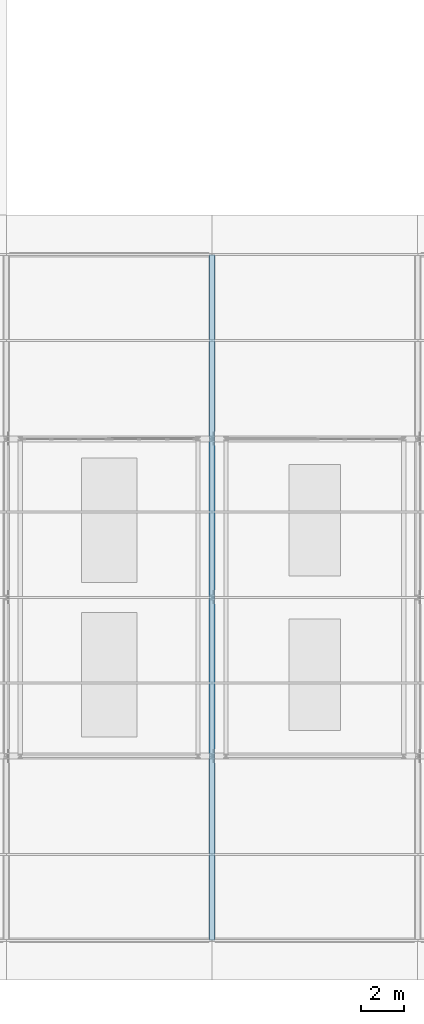
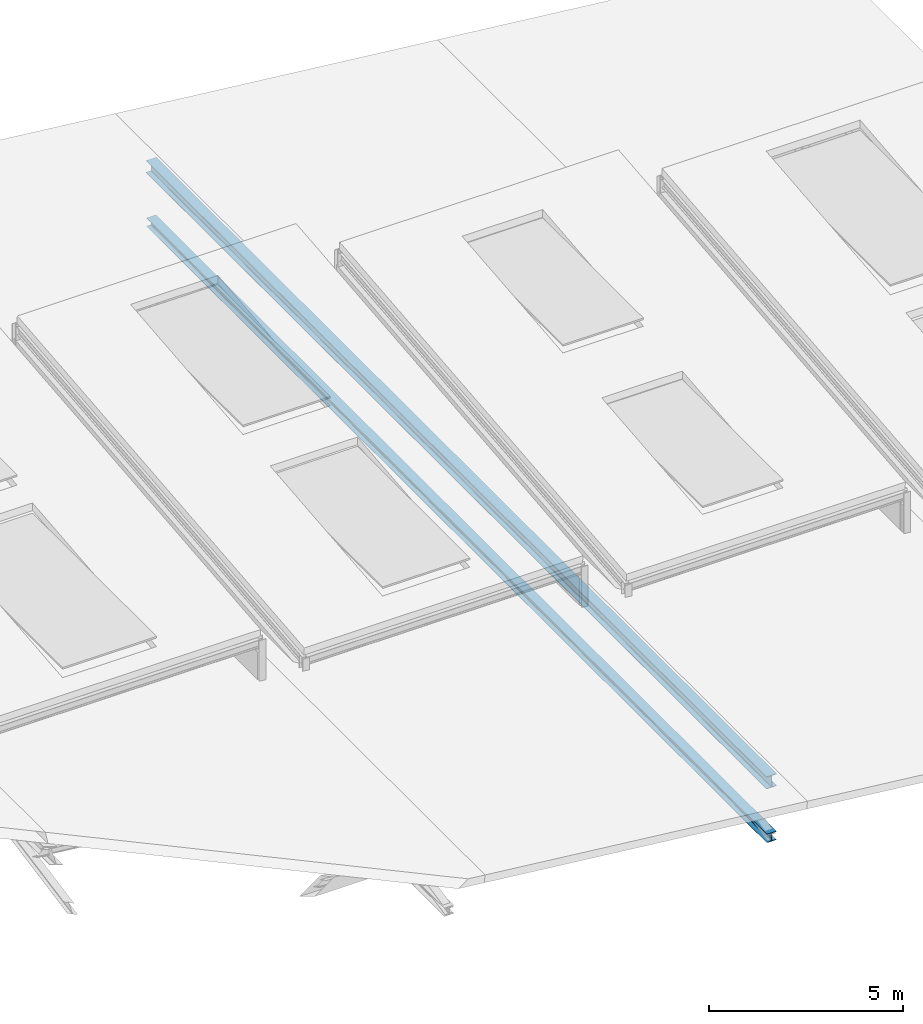
# One storey, part 17 of 30: 2 beams.
"""IFC4 building model written with IfcOpenShell, lengths in metres."""

from ifc_helpers import new_model, si_unit, direction, frame, origin, origin_2d, place, context, subcontext, project, spatial, i_section, extrude, material, material_profile, profile_set, type_object, element, save


model = new_model("IFC4")

# Units and contexts
model_context = context("Model", 3, precision=1e-05, world=origin(), true_north=direction((0.0, 1.0)))
body_context = subcontext(model_context, "Body", "Model", "MODEL_VIEW")
ifc_project = project(units=[si_unit("LENGTHUNIT", "METRE"), si_unit("AREAUNIT", "SQUARE_METRE"), si_unit("VOLUMEUNIT", "CUBIC_METRE"), si_unit("PLANEANGLEUNIT", "RADIAN"), si_unit("MASSUNIT", "GRAM", prefix="KILO")], contexts=[model_context])

# Site, building, storey
site_placement = place(None, origin())
site = spatial("IfcSite", under=ifc_project, at=site_placement, CompositionType="ELEMENT")
building_placement = place(site_placement, origin())
building = spatial("IfcBuilding", under=site, at=building_placement, Name="Alderhovde Museum", CompositionType="ELEMENT")
storey_placement = place(building_placement, frame((0.0, 0.0, 30.699951171875)))
storey = spatial("IfcBuildingStorey", under=building, at=storey_placement, Name="RF", CompositionType="ELEMENT", Elevation=30.699951171875)

# Beams
ifc_material_1 = material(Name="Steel S355J2", Category="steel")
ifc_material_profile_1 = material_profile(ifc_material_1, i_section(OverallWidth=0.280029296875, OverallDepth=0.27001953125, WebThickness=0.008056640625, FlangeThickness=0.012939453125, FilletRadius=0.02392578125, at=origin_2d()), Name="HEA 280")
ifc_profile_set_1 = profile_set([ifc_material_profile_1], Name="Steel S355J2")
beam_type_1 = type_object("IfcBeamType", Name="BM-HEA280", PredefinedType="BEAM", material=ifc_profile_set_1)
beam_1_placement = place(storey_placement, frame((57.60009765625, 48.0, -7.67333984375), z_axis=(0.0, 1.0, 0.0), x_axis=(-1.0, 0.0, 0.0)))
element("IfcBeam", 1, at=beam_1_placement, inside=storey, type_object=beam_type_1, Name="Sawtooth Roof Truss X=57.6 Continuous Bottom Chord", PredefinedType="BEAM", context=body_context, shape_type="SweptSolid", body=[
    extrude(i_section(OverallWidth=0.280029296875, OverallDepth=0.27001953125, WebThickness=0.008056640625, FlangeThickness=0.012939453125, FilletRadius=0.02392578125, at=origin_2d()), origin(), (0.0, 0.0, 1.0), 32.0),
])
ifc_material_2 = material(Name="Steel S355J2", Category="steel")
ifc_material_profile_2 = material_profile(ifc_material_2, i_section(OverallWidth=0.300048828125, OverallDepth=0.389892578125, WebThickness=0.010986328125, FlangeThickness=0.01904296875, FilletRadius=0.027099609375, at=origin_2d()), Name="HEA 400")
ifc_profile_set_2 = profile_set([ifc_material_profile_2], Name="Steel S355J2")
beam_type_2 = type_object("IfcBeamType", Name="BM-HEA400", PredefinedType="BEAM", material=ifc_profile_set_2)
beam_2_placement = place(storey_placement, frame((57.60009765625, 48.0, -5.92333984375), z_axis=(0.0, 1.0, 0.0), x_axis=(-1.0, 0.0, 0.0)))
element("IfcBeam", 2, at=beam_2_placement, inside=storey, type_object=beam_type_2, Name="Sawtooth Roof Truss X=57.6 Continuous Top Chord", PredefinedType="BEAM", context=body_context, shape_type="SweptSolid", body=[
    extrude(i_section(OverallWidth=0.300048828125, OverallDepth=0.389892578125, WebThickness=0.010986328125, FlangeThickness=0.01904296875, FilletRadius=0.027099609375, at=origin_2d()), origin(), (0.0, 0.0, 1.0), 32.0),
])

save(model, "model.ifc")
